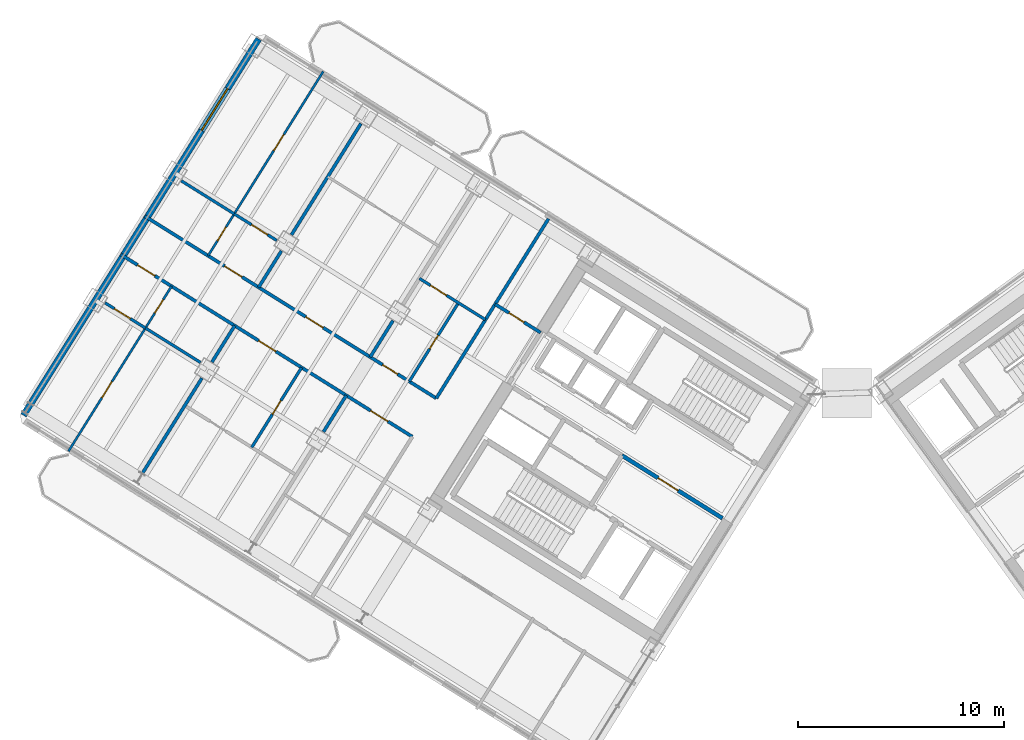
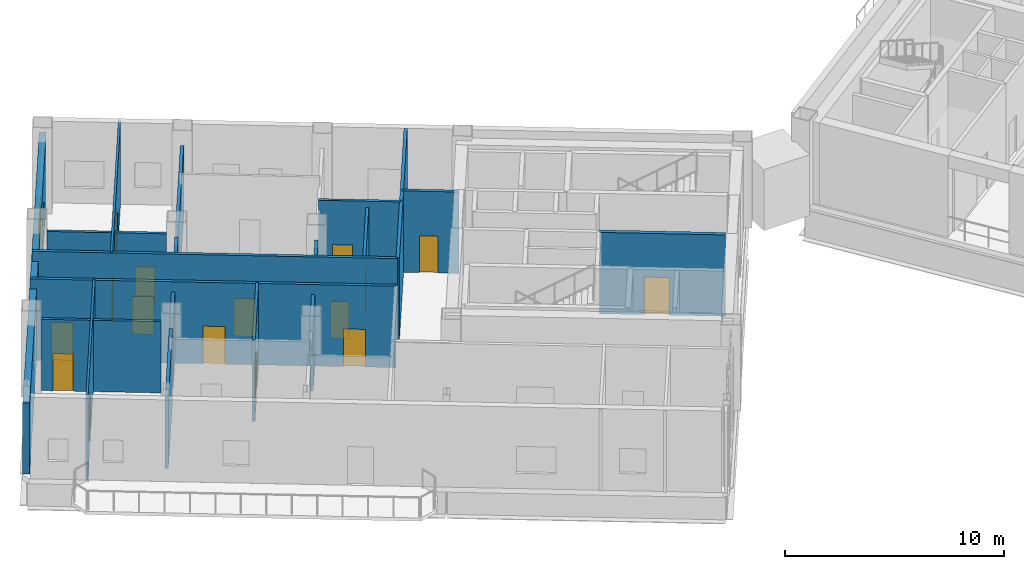
# One storey, part 13 of 22: 21 walls, 17 doors, 1 window, 18 openings.
"""IFC4 building model written with IfcOpenShell, lengths in metres."""

from ifc_helpers import new_model, si_unit, direction, frame, frame_2d, origin, place, context, subcontext, project, spatial, rectangle, extrude, source, transform, mapped, material, layer, layer_set, type_object, element, fill, save


model = new_model("IFC4")

# Units and contexts
model_context = context("Model", 3, precision=1e-05, world=origin(), true_north=direction((0.0, 1.0)))
body_context = subcontext(model_context, "Body", "Model", "MODEL_VIEW")
ifc_project = project(units=[si_unit("LENGTHUNIT", "METRE"), si_unit("AREAUNIT", "SQUARE_METRE"), si_unit("VOLUMEUNIT", "CUBIC_METRE"), si_unit("PLANEANGLEUNIT", "RADIAN"), si_unit("MASSUNIT", "GRAM", prefix="KILO")], contexts=[model_context])

# Site, building, storey
site_placement = place(None, origin())
site = spatial("IfcSite", under=ifc_project, at=site_placement, CompositionType="ELEMENT")
building_placement = place(site_placement, origin())
building = spatial("IfcBuilding", under=site, at=building_placement, Name="Tlacorven Tower", CompositionType="ELEMENT")
storey_placement = place(building_placement, frame((0.0, 0.0, 127.800048828125)))
storey = spatial("IfcBuildingStorey", under=building, at=storey_placement, Name="L32", CompositionType="ELEMENT", Elevation=127.800048828125)

# Wall, opening, door
ifc_material_1 = material(Name="Gypsum plasterboard acoustic partition", Category="gypsum")
ifc_layer_1 = layer(ifc_material_1, 0.159912109375)
ifc_layer_set_1 = layer_set([ifc_layer_1], Name="Gypsum plasterboard acoustic partition")
wall_type_1 = type_object("IfcWallType", Name="WL-DEM-160", PredefinedType="PARTITIONING", material=ifc_layer_set_1)
wall_1_placement = place(storey_placement, frame((27.56982421875, 27.4775390625, 0.0), z_axis=(0.0, 0.0, 1.0), x_axis=(-0.848050851465, 0.529914854792, 0.0)))
wall_1 = element("IfcWall", 1, at=wall_1_placement, inside=storey, type_object=wall_type_1, Name="L32 partition 46", PredefinedType="PARTITIONING", context=body_context, shape_type="SweptSolid", body=[
    extrude(rectangle(XDim=2.60986328125, YDim=0.159912109375, at=frame_2d((1.304931640625, 0.0))), origin(), (0.0, 0.0, 1.0), 4.5400390625),
])
opening_1_placement = place(wall_1_placement, frame((0.949951171875, 0.0, 0.0)))
opening_1 = element("IfcOpeningElement", 2, at=opening_1_placement, cuts=wall_1, Name="Opening D19", PredefinedType="OPENING", context=body_context, shape_type="SweptSolid", body=[
    extrude(rectangle(XDim=0.860107421875, YDim=2.050048828125, at=frame_2d((0.43017578125, 1.02490234375))), frame((0.0, 0.08984375, 0.0), z_axis=(0.0, -1.0, 0.0), x_axis=(1.0, 0.0, 0.0)), (0.0, 0.0, 1.0), 0.179931640625),
])
ifc_material_2 = material(Name="Fire-rated steel door assembly", Category="steel")
door_type_1 = type_object("IfcDoorType", Name="DR-RSR-FD60-0860", OperationType="NOTDEFINED", PredefinedType="DOOR", material=ifc_material_2)
shared_shape_1 = source(origin(), body_context, "Body", "SweptSolid", [
    extrude(rectangle(XDim=0.860107421875, YDim=2.050048828125, at=frame_2d((0.43017578125, 1.02490234375))), frame((0.0, 0.02490234375, 0.0), z_axis=(0.0, -1.0, 0.0), x_axis=(1.0, 0.0, 0.0)), (0.0, 0.0, 1.0), 0.050048828125),
])
door_1_placement = place(opening_1_placement, frame((0.860107421875, 0.0, 0.0), z_axis=(0.0, 0.0, 1.0), x_axis=(-1.0, 0.0, 0.0)))
door_1 = element("IfcDoor", 3, at=door_1_placement, inside=storey, type_object=door_type_1, Name="L32 door 023", OperationType="SINGLE_SWING_LEFT", OverallHeight=2.050048828125, OverallWidth=0.860107421875, PredefinedType="DOOR", context=body_context, shape_type="MappedRepresentation", body=[
    mapped(shared_shape_1, transform((0.0, 0.0, 0.0), scale=1.0)),
])
fill(opening_1, door_1)

# Wall
wall_2_placement = place(storey_placement, frame((27.952880859375, 33.01611328125, 0.0), z_axis=(0.0, 0.0, 1.0), x_axis=(-0.529909450694, -0.848054228257, 0.0)))
element("IfcWall", 4, at=wall_2_placement, inside=storey, type_object=wall_type_1, Name="L32 partition 48", PredefinedType="PARTITIONING", context=body_context, shape_type="SweptSolid", body=[
    extrude(rectangle(XDim=10.2998046875, YDim=0.159912109375, at=frame_2d((5.14990234375, 0.0))), origin(), (0.0, 0.0, 1.0), 4.5400390625),
])

# Wall, openings, doors
wall_3_placement = place(storey_placement, frame((22.494873046875, 24.28125, 0.0), z_axis=(0.0, 0.0, 1.0), x_axis=(-0.848052408131, 0.529912363569, 0.0)))
wall_3 = element("IfcWall", 5, at=wall_3_placement, inside=storey, type_object=wall_type_1, Name="L32 Wing W Corridor South Wall", PredefinedType="PARTITIONING", context=body_context, shape_type="SweptSolid", body=[
    extrude(rectangle(XDim=16.72998046875, YDim=0.159912109375, at=frame_2d((8.364990234375, 0.0))), origin(), (0.0, 0.0, 1.0), 4.5400390625),
])
opening_2_placement = place(wall_3_placement, frame((2.219970703125, 0.0, 0.0)))
opening_2 = element("IfcOpeningElement", 6, at=opening_2_placement, cuts=wall_3, Name="Opening D19", PredefinedType="OPENING", context=body_context, shape_type="SweptSolid", body=[
    extrude(rectangle(XDim=0.860107421875, YDim=2.050048828125, at=frame_2d((0.43017578125, 1.02490234375))), frame((0.0, 0.08984375, 0.0), z_axis=(0.0, -1.0, 0.0), x_axis=(1.0, 0.0, 0.0)), (0.0, 0.0, 1.0), 0.179931640625),
])
opening_3_placement = place(wall_3_placement, frame((6.489990234375, 0.0, 0.0)))
opening_3 = element("IfcOpeningElement", 7, at=opening_3_placement, cuts=wall_3, Name="Opening D11", PredefinedType="OPENING", context=body_context, shape_type="SweptSolid", body=[
    extrude(rectangle(XDim=1.0, YDim=2.10009765625, at=frame_2d((0.5, 1.050048828125))), frame((0.0, 0.08984375, 0.0), z_axis=(0.0, -1.0, 0.0), x_axis=(1.0, 0.0, 0.0)), (0.0, 0.0, 1.0), 0.179931640625),
])
opening_4_placement = place(wall_3_placement, frame((11.139892578125, 0.0, 0.0)))
opening_4 = element("IfcOpeningElement", 8, at=opening_4_placement, cuts=wall_3, Name="Opening D11", PredefinedType="OPENING", context=body_context, shape_type="SweptSolid", body=[
    extrude(rectangle(XDim=1.0, YDim=2.10009765625, at=frame_2d((0.5, 1.050048828125))), frame((0.0, 0.08984375, 0.0), z_axis=(0.0, -1.0, 0.0), x_axis=(1.0, 0.0, 0.0)), (0.0, 0.0, 1.0), 0.179931640625),
])
door_2_placement = place(opening_2_placement, origin())
door_2 = element("IfcDoor", 9, at=door_2_placement, inside=storey, type_object=door_type_1, Name="L32 door 035", OperationType="SINGLE_SWING_RIGHT", OverallHeight=2.050048828125, OverallWidth=0.860107421875, PredefinedType="DOOR", context=body_context, shape_type="MappedRepresentation", body=[
    mapped(shared_shape_1, transform((0.0, 0.0, 0.0), scale=1.0)),
])
fill(opening_2, door_2)
door_type_2 = type_object("IfcDoorType", Name="DR-FLT-FD60-1000", OperationType="NOTDEFINED", PredefinedType="DOOR", material=ifc_material_2)
shared_shape_2 = source(origin(), body_context, "Body", "SweptSolid", [
    extrude(rectangle(XDim=1.0, YDim=2.10009765625, at=frame_2d((0.5, 1.050048828125))), frame((0.0, 0.02490234375, 0.0), z_axis=(0.0, -1.0, 0.0), x_axis=(1.0, 0.0, 0.0)), (0.0, 0.0, 1.0), 0.050048828125),
])
door_3_placement = place(opening_3_placement, origin())
door_3 = element("IfcDoor", 10, at=door_3_placement, inside=storey, type_object=door_type_2, Name="L32 door 038", OperationType="SINGLE_SWING_LEFT", OverallHeight=2.10009765625, OverallWidth=1.0, PredefinedType="DOOR", context=body_context, shape_type="MappedRepresentation", body=[
    mapped(shared_shape_2, transform((0.0, 0.0, 0.0), scale=1.0)),
])
fill(opening_3, door_3)
door_4_placement = place(opening_4_placement, origin())
door_4 = element("IfcDoor", 11, at=door_4_placement, inside=storey, type_object=door_type_2, Name="L32 door 041", OperationType="SINGLE_SWING_RIGHT", OverallHeight=2.10009765625, OverallWidth=1.0, PredefinedType="DOOR", context=body_context, shape_type="MappedRepresentation", body=[
    mapped(shared_shape_2, transform((0.0, 0.0, 0.0), scale=1.0)),
])
fill(opening_4, door_4)

wall_4_placement = place(storey_placement, frame((21.3291015625, 22.41552734375, 0.0), z_axis=(0.0, 0.0, 1.0), x_axis=(-0.848052408131, 0.529912363569, 0.0)))
wall_4 = element("IfcWall", 12, at=wall_4_placement, inside=storey, type_object=wall_type_1, Name="L32 Wing W Corridor North Wall", PredefinedType="PARTITIONING", context=body_context, shape_type="SweptSolid", body=[
    extrude(rectangle(XDim=16.72998046875, YDim=0.159912109375, at=frame_2d((8.364990234375, 0.0))), origin(), (0.0, 0.0, 1.0), 4.5400390625),
])
opening_5_placement = place(wall_4_placement, frame((1.39501953125, 0.0, 0.0)))
opening_5 = element("IfcOpeningElement", 13, at=opening_5_placement, cuts=wall_4, Name="Opening D11", PredefinedType="OPENING", context=body_context, shape_type="SweptSolid", body=[
    extrude(rectangle(XDim=1.0, YDim=2.10009765625, at=frame_2d((0.5, 1.050048828125))), frame((0.0, 0.08984375, 0.0), z_axis=(0.0, -1.0, 0.0), x_axis=(1.0, 0.0, 0.0)), (0.0, 0.0, 1.0), 0.179931640625),
])
opening_6_placement = place(wall_4_placement, frame((7.820068359375, 0.0, 0.0)))
opening_6 = element("IfcOpeningElement", 14, at=opening_6_placement, cuts=wall_4, Name="Opening D11", PredefinedType="OPENING", context=body_context, shape_type="SweptSolid", body=[
    extrude(rectangle(XDim=1.0, YDim=2.10009765625, at=frame_2d((0.5, 1.050048828125))), frame((0.0, 0.08984375, 0.0), z_axis=(0.0, -1.0, 0.0), x_axis=(1.0, 0.0, 0.0)), (0.0, 0.0, 1.0), 0.179931640625),
])
opening_7_placement = place(wall_4_placement, frame((14.760009765625, 0.0, 0.0)))
opening_7 = element("IfcOpeningElement", 15, at=opening_7_placement, cuts=wall_4, Name="Opening D11", PredefinedType="OPENING", context=body_context, shape_type="SweptSolid", body=[
    extrude(rectangle(XDim=1.0, YDim=2.10009765625, at=frame_2d((0.5, 1.050048828125))), frame((0.0, 0.08984375, 0.0), z_axis=(0.0, -1.0, 0.0), x_axis=(1.0, 0.0, 0.0)), (0.0, 0.0, 1.0), 0.179931640625),
])
door_5_placement = place(opening_5_placement, origin())
door_5 = element("IfcDoor", 16, at=door_5_placement, inside=storey, type_object=door_type_2, Name="L32 door 025", OperationType="SINGLE_SWING_RIGHT", OverallHeight=2.10009765625, OverallWidth=1.0, PredefinedType="DOOR", context=body_context, shape_type="MappedRepresentation", body=[
    mapped(shared_shape_2, transform((0.0, 0.0, 0.0), scale=1.0)),
])
fill(opening_5, door_5)
door_6_placement = place(opening_6_placement, origin())
door_6 = element("IfcDoor", 17, at=door_6_placement, inside=storey, type_object=door_type_2, Name="L32 door 027", OperationType="SINGLE_SWING_RIGHT", OverallHeight=2.10009765625, OverallWidth=1.0, PredefinedType="DOOR", context=body_context, shape_type="MappedRepresentation", body=[
    mapped(shared_shape_2, transform((0.0, 0.0, 0.0), scale=1.0)),
])
fill(opening_6, door_6)
door_7_placement = place(opening_7_placement, origin())
door_7 = element("IfcDoor", 18, at=door_7_placement, inside=storey, type_object=door_type_2, Name="L32 door 031", OperationType="SINGLE_SWING_RIGHT", OverallHeight=2.10009765625, OverallWidth=1.0, PredefinedType="DOOR", context=body_context, shape_type="MappedRepresentation", body=[
    mapped(shared_shape_2, transform((0.0, 0.0, 0.0), scale=1.0)),
])
fill(opening_7, door_7)

# Walls
wall_5_placement = place(storey_placement, frame((18.114990234375, 24.423828125, 0.0), z_axis=(0.0, 0.0, 1.0), x_axis=(-0.529904345651, -0.848057418139, 0.0)))
element("IfcWall", 19, at=wall_5_placement, inside=storey, type_object=wall_type_1, Name="L32 WN Demising Wall 1", PredefinedType="PARTITIONING", context=body_context, shape_type="SweptSolid", body=[
    extrude(rectangle(XDim=2.087890625, YDim=0.159912109375, at=frame_2d((1.0439453125, 0.0))), origin(), (0.0, 0.0, 1.0), 3.974853515625),
])
wall_6_placement = place(storey_placement, frame((12.6875, 27.8154296875, 0.0), z_axis=(0.0, 0.0, 1.0), x_axis=(-0.529988430496, -0.848004872356, 0.0)))
element("IfcWall", 20, at=wall_6_placement, inside=storey, type_object=wall_type_1, Name="L32 WN Demising Wall 2", PredefinedType="PARTITIONING", context=body_context, shape_type="SweptSolid", body=[
    extrude(rectangle(XDim=2.088134765625, YDim=0.159912109375, at=frame_2d((1.0439453125, 0.0))), origin(), (0.0, 0.0, 1.0), 3.974853515625),
])
wall_7_placement = place(storey_placement, frame((11.09130859375, 25.260986328125, 0.0), z_axis=(0.0, 0.0, 1.0), x_axis=(-0.52994257524, -0.848033529377, 0.0)))
element("IfcWall", 21, at=wall_7_placement, inside=storey, type_object=wall_type_1, Name="L32 WN Demising Wall 2", PredefinedType="PARTITIONING", context=body_context, shape_type="SweptSolid", body=[
    extrude(rectangle(XDim=5.450927734375, YDim=0.159912109375, at=frame_2d((2.7255859375, 0.0))), origin(), (0.0, 0.0, 1.0), 3.974853515625),
])
wall_8_placement = place(storey_placement, frame((20.38720703125, 28.060302734375, 0.0), z_axis=(0.0, 0.0, 1.0), x_axis=(-0.529904345651, -0.848057418139, 0.0)))
element("IfcWall", 22, at=wall_8_placement, inside=storey, type_object=wall_type_1, Name="L32 WS Demising Wall 1", PredefinedType="PARTITIONING", context=body_context, shape_type="SweptSolid", body=[
    extrude(rectangle(XDim=2.087890625, YDim=0.159912109375, at=frame_2d((1.0439453125, 0.0))), origin(), (0.0, 0.0, 1.0), 3.974853515625),
])
wall_9_placement = place(storey_placement, frame((18.828125, 37.642578125, 0.0), z_axis=(0.0, 0.0, 1.0), x_axis=(-0.529930102756, -0.848041323399, 0.0)))
element("IfcWall", 23, at=wall_9_placement, inside=storey, type_object=wall_type_1, Name="L32 WS Demising Wall 2", PredefinedType="PARTITIONING", context=body_context, shape_type="SweptSolid", body=[
    extrude(rectangle(XDim=6.376220703125, YDim=0.159912109375, at=frame_2d((3.18798828125, 0.0))), origin(), (0.0, 0.0, 1.0), 3.974853515625),
])
wall_10_placement = place(storey_placement, frame((14.959716796875, 31.45166015625, 0.0), z_axis=(0.0, 0.0, 1.0), x_axis=(-0.529956894714, -0.848024580862, 0.0)))
element("IfcWall", 24, at=wall_10_placement, inside=storey, type_object=wall_type_1, Name="L32 WS Demising Wall 2", PredefinedType="PARTITIONING", context=body_context, shape_type="SweptSolid", body=[
    extrude(rectangle(XDim=2.087890625, YDim=0.159912109375, at=frame_2d((1.0439453125, 0.0))), origin(), (0.0, 0.0, 1.0), 3.974853515625),
])

# Wall, opening, window
ifc_material_3 = material(Name="Precast concrete C45/55", Category="concrete")
ifc_layer_2 = layer(ifc_material_3, 0.320068359375)
ifc_layer_set_2 = layer_set([ifc_layer_2], Name="Precast concrete C45/55")
wall_type_2 = type_object("IfcWallType", Name="WL-EXT-320", PredefinedType="STANDARD", material=ifc_layer_set_2)
wall_11_placement = place(storey_placement, frame((2.41455078125, 23.452392578125, 0.0), z_axis=(0.0, 0.0, 1.0), x_axis=(0.52991049553, 0.848053575387, 0.0)))
wall_11 = element("IfcWall", 25, at=wall_11_placement, inside=storey, type_object=wall_type_2, Name="L32 Masonry-Frame Recessed Facade Wall 2", PredefinedType="STANDARD", context=body_context, shape_type="SweptSolid", body=[
    extrude(rectangle(XDim=21.58740234375, YDim=0.320068359375, at=frame_2d((10.793701171875, 0.0))), origin(), (0.0, 0.0, 1.0), 3.974853515625),
])
opening_8_placement = place(wall_11_placement, frame((16.34375, 0.0, 0.75)))
opening_8 = element("IfcOpeningElement", 26, at=opening_8_placement, cuts=wall_11, Name="Opening WN06", PredefinedType="OPENING", context=body_context, shape_type="SweptSolid", body=[
    extrude(rectangle(XDim=2.39990234375, YDim=1.60009765625, at=frame_2d((1.199951171875, 0.800048828125))), frame((0.0, 0.169921875, 0.0), z_axis=(0.0, -1.0, 0.0), x_axis=(1.0, 0.0, 0.0)), (0.0, 0.0, 1.0), 0.340087890625),
])
ifc_material_4 = material(Name="Dark solar low-E double glazing in anodised aluminium frame", Category="aluminium")
window_type = type_object("IfcWindowType", Name="WN-APT-2400X1800", PartitioningType="SINGLE_PANEL", PredefinedType="WINDOW", material=ifc_material_4)
shared_shape_3 = source(origin(), body_context, "Body", "SweptSolid", [
    extrude(rectangle(XDim=2.39990234375, YDim=1.60009765625, at=frame_2d((1.199951171875, 0.800048828125))), frame((0.0, 0.030029296875, 0.0), z_axis=(0.0, -1.0, 0.0), x_axis=(1.0, 0.0, 0.0)), (0.0, 0.0, 1.0), 0.06005859375),
])
window_placement = place(opening_8_placement, origin())
window = element("IfcWindow", 27, at=window_placement, inside=storey, type_object=window_type, Name="L32 Recessed Masonry-Frame Window L32-02.1", OverallHeight=1.60009765625, OverallWidth=2.39990234375, PartitioningType="SINGLE_PANEL", PredefinedType="WINDOW", context=body_context, shape_type="MappedRepresentation", body=[
    mapped(shared_shape_3, transform((0.0, 0.0, 0.0), scale=1.0)),
])
fill(opening_8, window)

# Wall, openings, doors
ifc_material_5 = material(Name="Gypsum plasterboard partition", Category="gypsum")
ifc_layer_3 = layer(ifc_material_5, 0.110107421875)
ifc_layer_set_3 = layer_set([ifc_layer_3], Name="Gypsum plasterboard partition")
wall_type_3 = type_object("IfcWallType", Name="WL-INT-110", PredefinedType="PARTITIONING", material=ifc_layer_set_3)
wall_12_placement = place(storey_placement, frame((9.617431640625, 29.733642578125, 0.0), z_axis=(0.0, 0.0, 1.0), x_axis=(-0.529917830441, -0.848048992088, 0.0)))
wall_12 = element("IfcWall", 28, at=wall_12_placement, inside=storey, type_object=wall_type_3, Name="L32 partition 58", PredefinedType="PARTITIONING", context=body_context, shape_type="SweptSolid", body=[
    extrude(rectangle(XDim=9.469970703125, YDim=0.110107421875, at=frame_2d((4.73486328125, 0.0))), origin(), (0.0, 0.0, 1.0), 4.5400390625),
])
opening_9_placement = place(wall_12_placement, frame((0.760009765625, 0.0, 0.0)))
opening_9 = element("IfcOpeningElement", 29, at=opening_9_placement, cuts=wall_12, Name="Opening D22", PredefinedType="OPENING", context=body_context, shape_type="SweptSolid", body=[
    extrude(rectangle(XDim=0.780029296875, YDim=2.050048828125, at=frame_2d((0.39013671875, 1.02490234375))), frame((0.0, 0.06494140625, 0.0), z_axis=(0.0, -1.0, 0.0), x_axis=(1.0, 0.0, 0.0)), (0.0, 0.0, 1.0), 0.130126953125),
])
opening_10_placement = place(wall_12_placement, frame((5.47509765625, 0.0, 0.0)))
opening_10 = element("IfcOpeningElement", 30, at=opening_10_placement, cuts=wall_12, Name="Opening D12", PredefinedType="OPENING", context=body_context, shape_type="SweptSolid", body=[
    extrude(rectangle(XDim=0.919921875, YDim=2.080078125, at=frame_2d((0.4599609375, 1.0400390625))), frame((0.0, 0.06494140625, 0.0), z_axis=(0.0, -1.0, 0.0), x_axis=(1.0, 0.0, 0.0)), (0.0, 0.0, 1.0), 0.130126953125),
])
ifc_material_6 = material(Name="Powder-coated aluminium and timber door", Category="wood")
door_type_3 = type_object("IfcDoorType", Name="DR-INT-WET-0780", OperationType="NOTDEFINED", PredefinedType="DOOR", material=ifc_material_6)
shared_shape_4 = source(origin(), body_context, "Body", "SweptSolid", [
    extrude(rectangle(XDim=0.780029296875, YDim=2.050048828125, at=frame_2d((0.39013671875, 1.02490234375))), frame((0.0, 0.02490234375, 0.0), z_axis=(0.0, -1.0, 0.0), x_axis=(1.0, 0.0, 0.0)), (0.0, 0.0, 1.0), 0.050048828125),
])
door_8_placement = place(opening_9_placement, origin())
door_8 = element("IfcDoor", 31, at=door_8_placement, inside=storey, type_object=door_type_3, Name="L32 door 033", OperationType="SINGLE_SWING_RIGHT", OverallHeight=2.050048828125, OverallWidth=0.780029296875, PredefinedType="DOOR", context=body_context, shape_type="MappedRepresentation", body=[
    mapped(shared_shape_4, transform((0.0, 0.0, 0.0), scale=1.0)),
])
fill(opening_9, door_8)
door_type_4 = type_object("IfcDoorType", Name="DR-INT-ROOM-0920", OperationType="NOTDEFINED", PredefinedType="DOOR", material=ifc_material_6)
shared_shape_5 = source(origin(), body_context, "Body", "SweptSolid", [
    extrude(rectangle(XDim=0.919921875, YDim=2.080078125, at=frame_2d((0.4599609375, 1.0400390625))), frame((0.0, 0.02490234375, 0.0), z_axis=(0.0, -1.0, 0.0), x_axis=(1.0, 0.0, 0.0)), (0.0, 0.0, 1.0), 0.050048828125),
])
door_9_placement = place(opening_10_placement, origin())
door_9 = element("IfcDoor", 32, at=door_9_placement, inside=storey, type_object=door_type_4, Name="L32 door 034", OperationType="SINGLE_SWING_LEFT", OverallHeight=2.080078125, OverallWidth=0.919921875, PredefinedType="DOOR", context=body_context, shape_type="MappedRepresentation", body=[
    mapped(shared_shape_5, transform((0.0, 0.0, 0.0), scale=1.0)),
])
fill(opening_10, door_9)

wall_13_placement = place(storey_placement, frame((16.9951171875, 40.181640625, 0.0), z_axis=(0.0, 0.0, 1.0), x_axis=(-0.529924195719, -0.848045014602, 0.0)))
wall_13 = element("IfcWall", 33, at=wall_13_placement, inside=storey, type_object=wall_type_3, Name="L32 partition 67", PredefinedType="PARTITIONING", context=body_context, shape_type="SweptSolid", body=[
    extrude(rectangle(XDim=10.570068359375, YDim=0.110107421875, at=frame_2d((5.28515625, 0.0))), origin(), (0.0, 0.0, 1.0), 4.5400390625),
])
opening_11_placement = place(wall_13_placement, frame((8.929931640625, 0.0, 0.0)))
opening_11 = element("IfcOpeningElement", 34, at=opening_11_placement, cuts=wall_13, Name="Opening D22", PredefinedType="OPENING", context=body_context, shape_type="SweptSolid", body=[
    extrude(rectangle(XDim=0.780029296875, YDim=2.050048828125, at=frame_2d((0.39013671875, 1.02490234375))), frame((0.0, 0.06494140625, 0.0), z_axis=(0.0, -1.0, 0.0), x_axis=(1.0, 0.0, 0.0)), (0.0, 0.0, 1.0), 0.130126953125),
])
opening_12_placement = place(wall_13_placement, frame((3.625, 0.0, 0.0)))
opening_12 = element("IfcOpeningElement", 35, at=opening_12_placement, cuts=wall_13, Name="Opening D12", PredefinedType="OPENING", context=body_context, shape_type="SweptSolid", body=[
    extrude(rectangle(XDim=0.919921875, YDim=2.080078125, at=frame_2d((0.4599609375, 1.0400390625))), frame((0.0, 0.06494140625, 0.0), z_axis=(0.0, -1.0, 0.0), x_axis=(1.0, 0.0, 0.0)), (0.0, 0.0, 1.0), 0.130126953125),
])
door_10_placement = place(opening_11_placement, origin())
door_10 = element("IfcDoor", 36, at=door_10_placement, inside=storey, type_object=door_type_3, Name="L32 door 043", OperationType="SINGLE_SWING_RIGHT", OverallHeight=2.050048828125, OverallWidth=0.780029296875, PredefinedType="DOOR", context=body_context, shape_type="MappedRepresentation", body=[
    mapped(shared_shape_4, transform((0.0, 0.0, 0.0), scale=1.0)),
])
fill(opening_11, door_10)
door_11_placement = place(opening_12_placement, origin())
door_11 = element("IfcDoor", 37, at=door_11_placement, inside=storey, type_object=door_type_4, Name="L32 door 044", OperationType="SINGLE_SWING_LEFT", OverallHeight=2.080078125, OverallWidth=0.919921875, PredefinedType="DOOR", context=body_context, shape_type="MappedRepresentation", body=[
    mapped(shared_shape_5, transform((0.0, 0.0, 0.0), scale=1.0)),
])
fill(opening_12, door_11)

# Wall, opening, door
ifc_material_7 = material(Name="Moisture-resistant gypsum plumbing wall", Category="gypsum")
ifc_layer_4 = layer(ifc_material_7, 0.139892578125)
ifc_layer_set_4 = layer_set([ifc_layer_4], Name="Moisture-resistant gypsum plumbing wall")
wall_type_4 = type_object("IfcWallType", Name="WL-PLM-140", PredefinedType="PLUMBINGWALL", material=ifc_layer_set_4)
wall_14_placement = place(storey_placement, frame((15.94384765625, 25.780517578125, 0.0), z_axis=(0.0, 0.0, 1.0), x_axis=(-0.529917480809, -0.848049210561, 0.0)))
wall_14 = element("IfcWall", 38, at=wall_14_placement, inside=storey, type_object=wall_type_4, Name="L32 partition 57", PredefinedType="PLUMBINGWALL", context=body_context, shape_type="SweptSolid", body=[
    extrude(rectangle(XDim=4.580078125, YDim=0.139892578125, at=frame_2d((2.2900390625, 0.0))), origin(), (0.0, 0.0, 1.0), 4.5400390625),
])
opening_13_placement = place(wall_14_placement, frame((1.89990234375, 0.0, 0.0)))
opening_13 = element("IfcOpeningElement", 39, at=opening_13_placement, cuts=wall_14, Name="Opening D22", PredefinedType="OPENING", context=body_context, shape_type="SweptSolid", body=[
    extrude(rectangle(XDim=0.780029296875, YDim=2.050048828125, at=frame_2d((0.39013671875, 1.02490234375))), frame((0.0, 0.080078125, 0.0), z_axis=(0.0, -1.0, 0.0), x_axis=(1.0, 0.0, 0.0)), (0.0, 0.0, 1.0), 0.159912109375),
])
door_12_placement = place(opening_13_placement, origin())
door_12 = element("IfcDoor", 40, at=door_12_placement, inside=storey, type_object=door_type_3, Name="L32 door 029", OperationType="SINGLE_SWING_RIGHT", OverallHeight=2.050048828125, OverallWidth=0.780029296875, PredefinedType="DOOR", context=body_context, shape_type="MappedRepresentation", body=[
    mapped(shared_shape_4, transform((0.0, 0.0, 0.0), scale=1.0)),
])
fill(opening_13, door_12)

wall_15_placement = place(storey_placement, frame((8.345703125, 27.6982421875, 0.0), z_axis=(0.0, 0.0, 1.0), x_axis=(-0.848021970166, 0.529961072265, 0.0)))
wall_15 = element("IfcWall", 41, at=wall_15_placement, inside=storey, type_object=wall_type_4, Name="L32 partition 60", PredefinedType="PLUMBINGWALL", context=body_context, shape_type="SweptSolid", body=[
    extrude(rectangle(XDim=2.318115234375, YDim=0.139892578125, at=frame_2d((1.1591796875, 0.0))), origin(), (0.0, 0.0, 1.0), 3.974853515625),
])
opening_14_placement = place(wall_15_placement, frame((0.8701171875, 0.0, 0.0)))
opening_14 = element("IfcOpeningElement", 42, at=opening_14_placement, cuts=wall_15, Name="Opening D12", PredefinedType="OPENING", context=body_context, shape_type="SweptSolid", body=[
    extrude(rectangle(XDim=0.919921875, YDim=2.080078125, at=frame_2d((0.4599609375, 1.0400390625))), frame((0.0, 0.080078125, 0.0), z_axis=(0.0, -1.0, 0.0), x_axis=(1.0, 0.0, 0.0)), (0.0, 0.0, 1.0), 0.159912109375),
])
door_13_placement = place(opening_14_placement, origin())
door_13 = element("IfcDoor", 43, at=door_13_placement, inside=storey, type_object=door_type_4, Name="L32 door 032", OperationType="SINGLE_SWING_LEFT", OverallHeight=2.080078125, OverallWidth=0.919921875, PredefinedType="DOOR", context=body_context, shape_type="MappedRepresentation", body=[
    mapped(shared_shape_5, transform((0.0, 0.0, 0.0), scale=1.0)),
])
fill(opening_14, door_13)

# Wall
wall_16_placement = place(storey_placement, frame((11.023681640625, 26.02490234375, 0.0), z_axis=(0.0, 0.0, 1.0), x_axis=(-0.848054764307, 0.529908592812, 0.0)))
element("IfcWall", 44, at=wall_16_placement, inside=storey, type_object=wall_type_4, Name="L32 partition 61", PredefinedType="PLUMBINGWALL", context=body_context, shape_type="SweptSolid", body=[
    extrude(rectangle(XDim=3.15771484375, YDim=0.139892578125, at=frame_2d((1.578857421875, 0.0))), origin(), (0.0, 0.0, 1.0), 3.974853515625),
])

# Wall, opening, door
wall_17_placement = place(storey_placement, frame((24.884765625, 28.10595703125, 0.0), z_axis=(0.0, 0.0, 1.0), x_axis=(-0.848059820872, 0.529900500304, 0.0)))
wall_17 = element("IfcWall", 45, at=wall_17_placement, inside=storey, type_object=wall_type_4, Name="L32 partition 63", PredefinedType="PLUMBINGWALL", context=body_context, shape_type="SweptSolid", body=[
    extrude(rectangle(XDim=3.7900390625, YDim=0.139892578125, at=frame_2d((1.89501953125, 0.0))), origin(), (0.0, 0.0, 1.0), 4.5400390625),
])
opening_15_placement = place(wall_17_placement, frame((2.22998046875, 0.0, 0.0)))
opening_15 = element("IfcOpeningElement", 46, at=opening_15_placement, cuts=wall_17, Name="Opening D12", PredefinedType="OPENING", context=body_context, shape_type="SweptSolid", body=[
    extrude(rectangle(XDim=0.919921875, YDim=2.080078125, at=frame_2d((0.4599609375, 1.0400390625))), frame((0.0, 0.080078125, 0.0), z_axis=(0.0, -1.0, 0.0), x_axis=(1.0, 0.0, 0.0)), (0.0, 0.0, 1.0), 0.159912109375),
])
door_14_placement = place(opening_15_placement, origin())
door_14 = element("IfcDoor", 47, at=door_14_placement, inside=storey, type_object=door_type_4, Name="L32 door 036", OperationType="SINGLE_SWING_LEFT", OverallHeight=2.080078125, OverallWidth=0.919921875, PredefinedType="DOOR", context=body_context, shape_type="MappedRepresentation", body=[
    mapped(shared_shape_5, transform((0.0, 0.0, 0.0), scale=1.0)),
])
fill(opening_15, door_14)

wall_18_placement = place(storey_placement, frame((23.5703125, 28.92724609375, 0.0), z_axis=(0.0, 0.0, 1.0), x_axis=(-0.529911350634, -0.84805304107, 0.0)))
wall_18 = element("IfcWall", 48, at=wall_18_placement, inside=storey, type_object=wall_type_4, Name="L32 partition 64", PredefinedType="PLUMBINGWALL", context=body_context, shape_type="SweptSolid", body=[
    extrude(rectangle(XDim=4.510009765625, YDim=0.139892578125, at=frame_2d((2.2548828125, 0.0))), origin(), (0.0, 0.0, 1.0), 4.195068359375),
])
opening_16_placement = place(wall_18_placement, frame((1.864990234375, 0.0, 0.0)))
opening_16 = element("IfcOpeningElement", 49, at=opening_16_placement, cuts=wall_18, Name="Opening D22", PredefinedType="OPENING", context=body_context, shape_type="SweptSolid", body=[
    extrude(rectangle(XDim=0.780029296875, YDim=2.050048828125, at=frame_2d((0.39013671875, 1.02490234375))), frame((0.0, 0.080078125, 0.0), z_axis=(0.0, -1.0, 0.0), x_axis=(1.0, 0.0, 0.0)), (0.0, 0.0, 1.0), 0.159912109375),
])
door_15_placement = place(opening_16_placement, origin())
door_15 = element("IfcDoor", 50, at=door_15_placement, inside=storey, type_object=door_type_3, Name="L32 door 037", OperationType="SINGLE_SWING_RIGHT", OverallHeight=2.050048828125, OverallWidth=0.780029296875, PredefinedType="DOOR", context=body_context, shape_type="MappedRepresentation", body=[
    mapped(shared_shape_4, transform((0.0, 0.0, 0.0), scale=1.0)),
])
fill(opening_16, door_15)

wall_19_placement = place(storey_placement, frame((14.733154296875, 31.961181640625, 0.0), z_axis=(0.0, 0.0, 1.0), x_axis=(-0.848020807548, 0.529962932634, 0.0)))
wall_19 = element("IfcWall", 51, at=wall_19_placement, inside=storey, type_object=wall_type_4, Name="L32 partition 69", PredefinedType="PLUMBINGWALL", context=body_context, shape_type="SweptSolid", body=[
    extrude(rectangle(XDim=2.43798828125, YDim=0.139892578125, at=frame_2d((1.218994140625, 0.0))), origin(), (0.0, 0.0, 1.0), 3.974853515625),
])
opening_17_placement = place(wall_19_placement, frame((0.528076171875, 0.0, 0.0)))
opening_17 = element("IfcOpeningElement", 52, at=opening_17_placement, cuts=wall_19, Name="Opening D12", PredefinedType="OPENING", context=body_context, shape_type="SweptSolid", body=[
    extrude(rectangle(XDim=0.919921875, YDim=2.080078125, at=frame_2d((0.4599609375, 1.0400390625))), frame((0.0, 0.080078125, 0.0), z_axis=(0.0, -1.0, 0.0), x_axis=(1.0, 0.0, 0.0)), (0.0, 0.0, 1.0), 0.159912109375),
])
door_16_placement = place(opening_17_placement, origin())
door_16 = element("IfcDoor", 53, at=door_16_placement, inside=storey, type_object=door_type_4, Name="L32 door 042", OperationType="SINGLE_SWING_RIGHT", OverallHeight=2.080078125, OverallWidth=0.919921875, PredefinedType="DOOR", context=body_context, shape_type="MappedRepresentation", body=[
    mapped(shared_shape_5, transform((0.0, 0.0, 0.0), scale=1.0)),
])
fill(opening_17, door_16)

# Wall
wall_20_placement = place(storey_placement, frame((12.665771484375, 33.253173828125, 0.0), z_axis=(0.0, 0.0, 1.0), x_axis=(-0.848056989933, 0.52990503095, 0.0)))
element("IfcWall", 54, at=wall_20_placement, inside=storey, type_object=wall_type_4, Name="L32 partition 70", PredefinedType="PLUMBINGWALL", context=body_context, shape_type="SweptSolid", body=[
    extrude(rectangle(XDim=3.0380859375, YDim=0.139892578125, at=frame_2d((1.51904296875, 0.0))), origin(), (0.0, 0.0, 1.0), 3.974853515625),
])

# Wall, opening, door
ifc_material_8 = material(Name="Concrete C40/50", Category="concrete")
ifc_layer_5 = layer(ifc_material_8, 0.199951171875)
ifc_layer_set_5 = layer_set([ifc_layer_5], Name="Concrete C40/50")
wall_type_5 = type_object("IfcWallType", Name="WL-SHF-200", PredefinedType="STANDARD", material=ifc_layer_set_5)
wall_21_placement = place(storey_placement, frame((36.416748046875, 18.447265625, 0.0), z_axis=(0.0, 0.0, 1.0), x_axis=(-0.848064879198, 0.529892404805, 0.0)))
wall_21 = element("IfcWall", 55, at=wall_21_placement, inside=storey, type_object=wall_type_5, Name="L32 Core W Smoke Lobby Wall", PredefinedType="STANDARD", context=body_context, shape_type="SweptSolid", body=[
    extrude(rectangle(XDim=5.76806640625, YDim=0.199951171875, at=frame_2d((2.884033203125, 0.0))), origin(), (0.0, 0.0, 1.0), 4.5400390625),
])
opening_18_placement = place(wall_21_placement, frame((2.548095703125, 0.0, 0.0)))
opening_18 = element("IfcOpeningElement", 56, at=opening_18_placement, cuts=wall_21, Name="Opening D09", PredefinedType="OPENING", context=body_context, shape_type="SweptSolid", body=[
    extrude(rectangle(XDim=1.14990234375, YDim=2.10009765625, at=frame_2d((0.574951171875, 1.050048828125))), frame((0.0, 0.10986328125, 0.0), z_axis=(0.0, -1.0, 0.0), x_axis=(1.0, 0.0, 0.0)), (0.0, 0.0, 1.0), 0.219970703125),
])
door_type_5 = type_object("IfcDoorType", Name="DR-FFL-FD60-1150", OperationType="NOTDEFINED", PredefinedType="DOOR", material=ifc_material_2)
shared_shape_6 = source(origin(), body_context, "Body", "SweptSolid", [
    extrude(rectangle(XDim=1.14990234375, YDim=2.10009765625, at=frame_2d((0.574951171875, 1.050048828125))), frame((0.0, 0.02490234375, 0.0), z_axis=(0.0, -1.0, 0.0), x_axis=(1.0, 0.0, 0.0)), (0.0, 0.0, 1.0), 0.050048828125),
])
door_17_placement = place(opening_18_placement, origin())
door_17 = element("IfcDoor", 57, at=door_17_placement, inside=storey, type_object=door_type_5, Name="L32 Firefighting Lobby W Fire Door", OperationType="SINGLE_SWING_RIGHT", OverallHeight=2.10009765625, OverallWidth=1.14990234375, PredefinedType="DOOR", context=body_context, shape_type="MappedRepresentation", body=[
    mapped(shared_shape_6, transform((0.0, 0.0, 0.0), scale=1.0)),
])
fill(opening_18, door_17)

save(model, "model.ifc")
